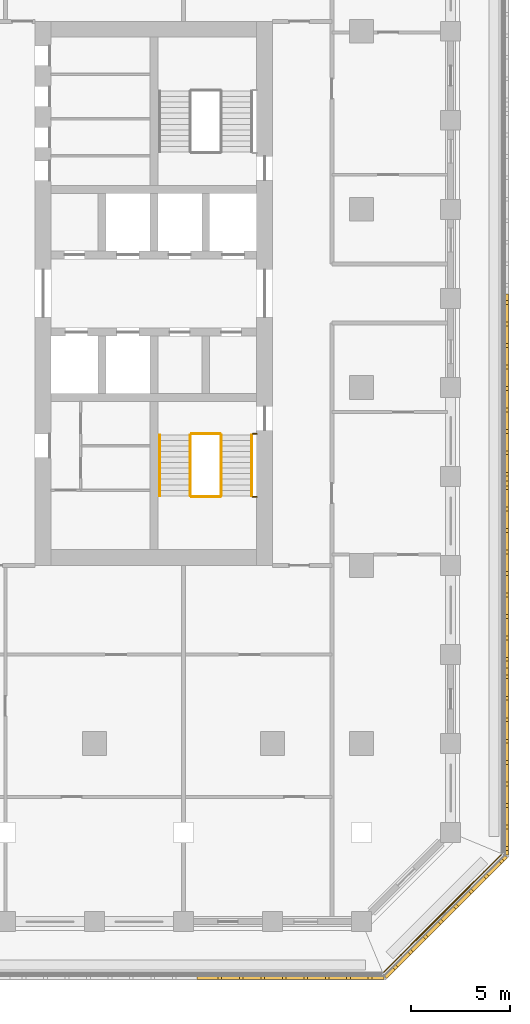
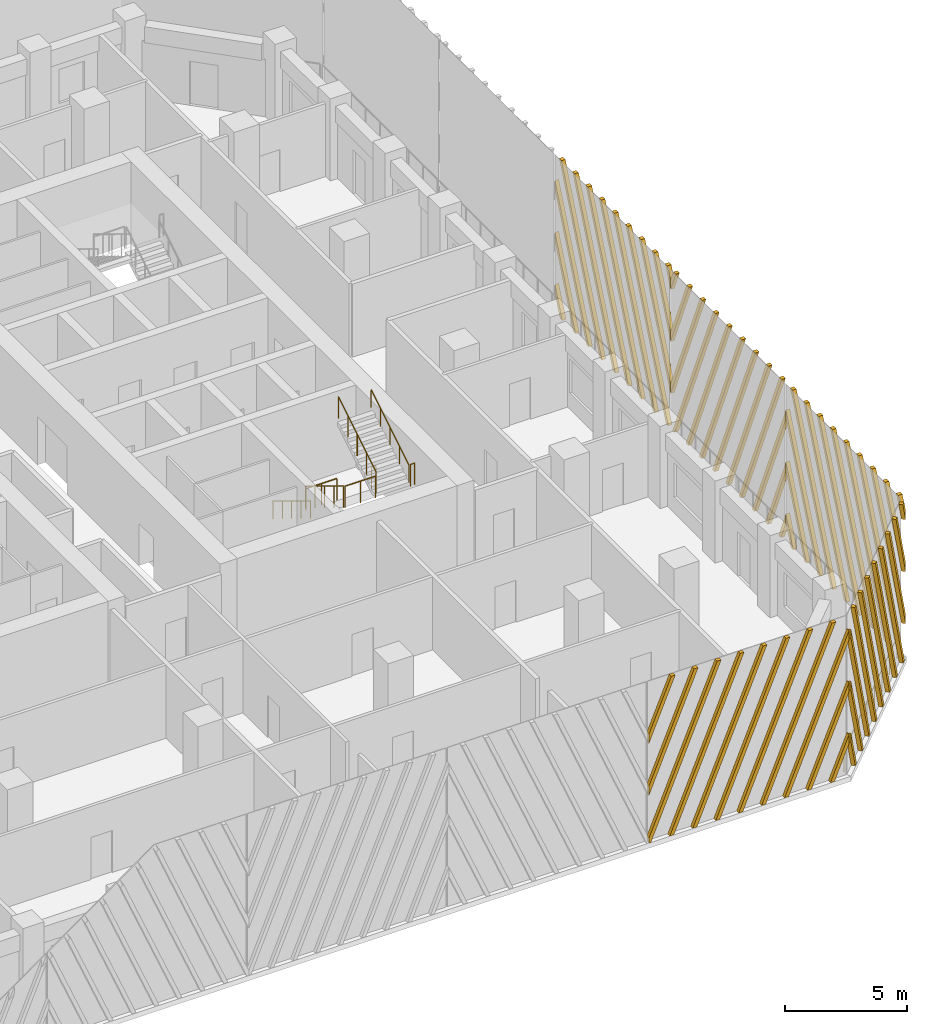
# One storey, part 12 of 17: 9 railings, 5 shading devices.
"""IFC4 building model written with IfcOpenShell, lengths in metres."""

from ifc_helpers import new_model, si_unit, direction, frame, origin, origin_2d, place, context, subcontext, project, spatial, polyline, circle, outline, extrude, source, transform, mapped, material, type_object, element, save


model = new_model("IFC4")

# Units and contexts
model_context = context("Model", 3, precision=1e-05, world=origin(), true_north=direction((0.0, 1.0)))
body_context = subcontext(model_context, "Body", "Model", "MODEL_VIEW")
ifc_project = project(units=[si_unit("LENGTHUNIT", "METRE"), si_unit("AREAUNIT", "SQUARE_METRE"), si_unit("VOLUMEUNIT", "CUBIC_METRE"), si_unit("PLANEANGLEUNIT", "RADIAN"), si_unit("MASSUNIT", "GRAM", prefix="KILO")], contexts=[model_context])

# Site, building, storey
site_placement = place(None, origin())
site = spatial("IfcSite", under=ifc_project, at=site_placement, CompositionType="ELEMENT")
building_placement = place(site_placement, origin())
building = spatial("IfcBuilding", under=site, at=building_placement, Name="Corbel Stack Research Tower", CompositionType="ELEMENT")
storey_placement = place(building_placement, frame((0.0, 0.0, 156.800048828125)))
storey = spatial("IfcBuildingStorey", under=building, at=storey_placement, Name="L35", CompositionType="ELEMENT", Elevation=156.800048828125)

# Railings
ifc_material_1 = material(Name="Steel S355", Category="steel")
railing_type_1 = type_object("IfcRailingType", Name="Stair guard 1100", PredefinedType="GUARDRAIL", material=ifc_material_1)
railing_1_placement = place(storey_placement, frame((13.85009765625, -2.39990234375, 0.1708984375)))
element("IfcRailing", 1, at=railing_1_placement, inside=storey, type_object=railing_type_1, Name="L35 ST-E1 stair guard 1", PredefinedType="GUARDRAIL", context=body_context, shape_type="SweptSolid", body=[
    extrude(circle(Radius=0.02392578125, at=origin_2d()), frame((0.0, 0.0, 1.076171875), z_axis=(0.0, -0.853666305674, 0.52082035152), x_axis=(1.0, 0.0, 0.0)), (0.0, 0.0, 1.0), 3.608154296875),
    extrude(circle(Radius=0.02099609375, at=origin_2d()), origin(), (0.0, 0.0, 1.0), 1.052001953125),
    extrude(circle(Radius=0.02099609375, at=origin_2d()), frame((0.0, -0.77001953125, 0.4697265625)), (0.0, 0.0, 1.0), 1.052001953125),
    extrude(circle(Radius=0.02099609375, at=origin_2d()), frame((0.0, -1.5400390625, 0.939453125)), (0.0, 0.0, 1.0), 1.052001953125),
    extrude(circle(Radius=0.02099609375, at=origin_2d()), frame((0.0, -2.31005859375, 1.409423828125)), (0.0, 0.0, 1.0), 1.052001953125),
    extrude(circle(Radius=0.02099609375, at=origin_2d()), frame((0.0, -3.080078125, 1.879150390625)), (0.0, 0.0, 1.0), 1.052001953125),
])
railing_2_placement = place(storey_placement, frame((13.89990234375, -5.530029296875, 2.050048828125)))
element("IfcRailing", 2, at=railing_2_placement, inside=storey, type_object=railing_type_1, Name="L35 ST-E1 stair guard 2", PredefinedType="GUARDRAIL", context=body_context, shape_type="SweptSolid", body=[
    extrude(circle(Radius=0.02392578125, at=origin_2d()), frame((0.0, 0.0, 1.076171875), z_axis=(1.0, 0.0, 0.0), x_axis=(0.0, 1.0, 0.0)), (0.0, 0.0, 1.0), 1.4501953125),
    extrude(circle(Radius=0.02099609375, at=origin_2d()), origin(), (0.0, 0.0, 1.0), 1.052001953125),
    extrude(circle(Radius=0.02099609375, at=origin_2d()), frame((0.72509765625, 0.0, 0.0)), (0.0, 0.0, 1.0), 1.052001953125),
    extrude(circle(Radius=0.02099609375, at=origin_2d()), frame((1.4501953125, 0.0, 0.0)), (0.0, 0.0, 1.0), 1.052001953125),
])
railing_3_placement = place(storey_placement, frame((17.0, -5.530029296875, 2.050048828125)))
element("IfcRailing", 3, at=railing_3_placement, inside=storey, type_object=railing_type_1, Name="L35 ST-E1 stair guard 3", PredefinedType="GUARDRAIL", context=body_context, shape_type="SweptSolid", body=[
    extrude(circle(Radius=0.02392578125, at=origin_2d()), frame((0.0, 0.0, 1.076171875), z_axis=(1.0, 0.0, 0.0), x_axis=(0.0, 1.0, 0.0)), (0.0, 0.0, 1.0), 0.199951171875),
    extrude(circle(Radius=0.02099609375, at=origin_2d()), origin(), (0.0, 0.0, 1.0), 1.052001953125),
    extrude(circle(Radius=0.02099609375, at=origin_2d()), frame((0.199951171875, 0.0, 0.0)), (0.0, 0.0, 1.0), 1.052001953125),
])
railing_4_placement = place(storey_placement, frame((15.39990234375, -5.47998046875, 2.220703125)))
element("IfcRailing", 4, at=railing_4_placement, inside=storey, type_object=railing_type_1, Name="L35 ST-E1 stair guard 4", PredefinedType="GUARDRAIL", context=body_context, shape_type="SweptSolid", body=[
    extrude(circle(Radius=0.02392578125, at=origin_2d()), frame((0.0, 0.0, 1.076171875), z_axis=(0.0, 0.853666305674, 0.52082035152), x_axis=(-1.0, 0.0, 0.0)), (0.0, 0.0, 1.0), 3.608154296875),
    extrude(circle(Radius=0.02099609375, at=origin_2d()), origin(), (0.0, 0.0, 1.0), 1.052001953125),
    extrude(circle(Radius=0.02099609375, at=origin_2d()), frame((0.0, 0.77001953125, 0.4697265625)), (0.0, 0.0, 1.0), 1.052001953125),
    extrude(circle(Radius=0.02099609375, at=origin_2d()), frame((0.0, 1.5400390625, 0.939453125)), (0.0, 0.0, 1.0), 1.052001953125),
    extrude(circle(Radius=0.02099609375, at=origin_2d()), frame((0.0, 2.31005859375, 1.409423828125)), (0.0, 0.0, 1.0), 1.052001953125),
    extrude(circle(Radius=0.02099609375, at=origin_2d()), frame((0.0, 3.080078125, 1.879150390625)), (0.0, 0.0, 1.0), 1.052001953125),
])
railing_5_placement = place(storey_placement, frame((13.89990234375, -2.35009765625, 0.0)))
element("IfcRailing", 5, at=railing_5_placement, inside=storey, type_object=railing_type_1, Name="L35 ST-E1 stair guard 5", PredefinedType="GUARDRAIL", context=body_context, shape_type="SweptSolid", body=[
    extrude(circle(Radius=0.02392578125, at=origin_2d()), frame((0.0, 0.0, 1.076171875), z_axis=(1.0, 0.0, 0.0), x_axis=(0.0, 1.0, 0.0)), (0.0, 0.0, 1.0), 1.4501953125),
    extrude(circle(Radius=0.02099609375, at=origin_2d()), origin(), (0.0, 0.0, 1.0), 1.052001953125),
    extrude(circle(Radius=0.02099609375, at=origin_2d()), frame((0.72509765625, 0.0, 0.0)), (0.0, 0.0, 1.0), 1.052001953125),
    extrude(circle(Radius=0.02099609375, at=origin_2d()), frame((1.4501953125, 0.0, 0.0)), (0.0, 0.0, 1.0), 1.052001953125),
])
railing_6_placement = place(storey_placement, frame((17.0, -2.35009765625, 0.0)))
element("IfcRailing", 6, at=railing_6_placement, inside=storey, type_object=railing_type_1, Name="L35 ST-E1 stair guard 6", PredefinedType="GUARDRAIL", context=body_context, shape_type="SweptSolid", body=[
    extrude(circle(Radius=0.02392578125, at=origin_2d()), frame((0.0, 0.0, 1.076171875), z_axis=(1.0, 0.0, 0.0), x_axis=(0.0, 1.0, 0.0)), (0.0, 0.0, 1.0), 0.199951171875),
    extrude(circle(Radius=0.02099609375, at=origin_2d()), origin(), (0.0, 0.0, 1.0), 1.052001953125),
    extrude(circle(Radius=0.02099609375, at=origin_2d()), frame((0.199951171875, 0.0, 0.0)), (0.0, 0.0, 1.0), 1.052001953125),
])
ifc_material_2 = material(Name="Steel S355", Category="steel")
railing_type_2 = type_object("IfcRailingType", Name="Stair handrail 900", PredefinedType="HANDRAIL", material=ifc_material_2)
railing_7_placement = place(storey_placement, frame((12.300048828125, -2.39990234375, 0.1708984375)))
element("IfcRailing", 7, at=railing_7_placement, inside=storey, type_object=railing_type_2, Name="L35 ST-E1 stair handrail 1", PredefinedType="HANDRAIL", context=body_context, shape_type="SweptSolid", body=[
    extrude(circle(Radius=0.02392578125, at=origin_2d()), frame((0.0, 0.0, 0.8759765625), z_axis=(0.0, -0.853666305674, 0.52082035152), x_axis=(1.0, 0.0, 0.0)), (0.0, 0.0, 1.0), 3.608154296875),
    extrude(circle(Radius=0.02099609375, at=origin_2d()), origin(), (0.0, 0.0, 1.0), 0.851806640625),
    extrude(circle(Radius=0.02099609375, at=origin_2d()), frame((0.0, -0.77001953125, 0.4697265625)), (0.0, 0.0, 1.0), 0.851806640625),
    extrude(circle(Radius=0.02099609375, at=origin_2d()), frame((0.0, -1.5400390625, 0.939453125)), (0.0, 0.0, 1.0), 0.851806640625),
    extrude(circle(Radius=0.02099609375, at=origin_2d()), frame((0.0, -2.31005859375, 1.409423828125)), (0.0, 0.0, 1.0), 0.851806640625),
    extrude(circle(Radius=0.02099609375, at=origin_2d()), frame((0.0, -3.080078125, 1.879150390625)), (0.0, 0.0, 1.0), 0.851806640625),
])
railing_8_placement = place(storey_placement, frame((16.949951171875, -5.47998046875, 2.220703125)))
element("IfcRailing", 8, at=railing_8_placement, inside=storey, type_object=railing_type_2, Name="L35 ST-E1 stair handrail 2", PredefinedType="HANDRAIL", context=body_context, shape_type="SweptSolid", body=[
    extrude(circle(Radius=0.02392578125, at=origin_2d()), frame((0.0, 0.0, 0.8759765625), z_axis=(0.0, 0.853666305674, 0.52082035152), x_axis=(-1.0, 0.0, 0.0)), (0.0, 0.0, 1.0), 3.608154296875),
    extrude(circle(Radius=0.02099609375, at=origin_2d()), origin(), (0.0, 0.0, 1.0), 0.851806640625),
    extrude(circle(Radius=0.02099609375, at=origin_2d()), frame((0.0, 0.77001953125, 0.4697265625)), (0.0, 0.0, 1.0), 0.851806640625),
    extrude(circle(Radius=0.02099609375, at=origin_2d()), frame((0.0, 1.5400390625, 0.939453125)), (0.0, 0.0, 1.0), 0.851806640625),
    extrude(circle(Radius=0.02099609375, at=origin_2d()), frame((0.0, 2.31005859375, 1.409423828125)), (0.0, 0.0, 1.0), 0.851806640625),
    extrude(circle(Radius=0.02099609375, at=origin_2d()), frame((0.0, 3.080078125, 1.879150390625)), (0.0, 0.0, 1.0), 0.851806640625),
])
ifc_material_3 = material(Name="Powder-coated steel guard", Category="steel")
railing_type_3 = type_object("IfcRailingType", Name="Steel and glass guard 1100", PredefinedType="GUARDRAIL", material=ifc_material_3)
railing_9_placement = place(storey_placement, frame((23.627685546875, -29.54931640625, 0.0)))
element("IfcRailing", 9, at=railing_9_placement, inside=storey, type_object=railing_type_3, Name="Loggia guard L35 SE", PredefinedType="GUARDRAIL", context=body_context, shape_type="SweptSolid", body=[
    extrude(circle(Radius=0.02392578125, at=origin_2d()), frame((0.0, 0.0, 1.076171875), z_axis=(0.707106781187, 0.707106781187, 0.0), x_axis=(-0.707106781187, 0.707106781187, 0.0)), (0.0, 0.0, 1.0), 8.37451171875),
    extrude(circle(Radius=0.02099609375, at=origin_2d()), origin(), (0.0, 0.0, 1.0), 1.052001953125),
    extrude(circle(Radius=0.02099609375, at=origin_2d()), frame((0.845947265625, 0.845947265625, 0.0)), (0.0, 0.0, 1.0), 1.052001953125),
    extrude(circle(Radius=0.02099609375, at=origin_2d()), frame((1.69189453125, 1.69189453125, 0.0)), (0.0, 0.0, 1.0), 1.052001953125),
    extrude(circle(Radius=0.02099609375, at=origin_2d()), frame((2.537841796875, 2.537841796875, 0.0)), (0.0, 0.0, 1.0), 1.052001953125),
    extrude(circle(Radius=0.02099609375, at=origin_2d()), frame((3.3837890625, 3.3837890625, 0.0)), (0.0, 0.0, 1.0), 1.052001953125),
    extrude(circle(Radius=0.02099609375, at=origin_2d()), frame((4.229736328125, 4.229736328125, 0.0)), (0.0, 0.0, 1.0), 1.052001953125),
    extrude(circle(Radius=0.02099609375, at=origin_2d()), frame((5.07568359375, 5.07568359375, 0.0)), (0.0, 0.0, 1.0), 1.052001953125),
    extrude(circle(Radius=0.02099609375, at=origin_2d()), frame((5.921630859375, 5.921630859375, 0.0)), (0.0, 0.0, 1.0), 1.052001953125),
])

# Shading devices
ifc_material_4 = material(Name="Precast terracotta", Category="masonry")
shading_device_type = type_object("IfcShadingDeviceType", Name="Terracotta screen panel", PredefinedType="USERDEFINED", material=ifc_material_4)
shared_shape_1 = source(origin(), body_context, "Body", "SweptSolid", [
    extrude(outline(polyline([(1.245849609375, 7.949951171875), (1.055908203125, 7.949951171875), (0.0, 5.421875), (0.0, 4.966796875), (1.245849609375, 7.949951171875)])), frame((0.0, 0.0, 0.0), z_axis=(0.0, -1.0, 0.0), x_axis=(1.0, 0.0, 0.0)), (0.0, 0.0, 1.0), 0.179931640625),
    extrude(outline(polyline([(2.33056640625, 7.949951171875), (2.140380859375, 7.949951171875), (0.0, 2.82470703125), (0.0, 2.36962890625), (2.33056640625, 7.949951171875)])), frame((0.0, 0.0, 0.0), z_axis=(0.0, -1.0, 0.0), x_axis=(1.0, 0.0, 0.0)), (0.0, 0.0, 1.0), 0.179931640625),
    extrude(outline(polyline([(0.094970703125, 0.0), (3.415283203125, 7.949951171875), (3.22509765625, 7.949951171875), (0.0, 0.2275390625), (0.0, 0.0), (0.094970703125, 0.0)])), frame((0.0, 0.0, 0.0), z_axis=(0.0, -1.0, 0.0), x_axis=(1.0, 0.0, 0.0)), (0.0, 0.0, 1.0), 0.179931640625),
    extrude(outline(polyline([(1.1796875, 0.0), (4.499755859375, 7.949951171875), (4.309814453125, 7.949951171875), (0.98974609375, 0.0), (1.1796875, 0.0)])), frame((0.0, 0.0, 0.0), z_axis=(0.0, -1.0, 0.0), x_axis=(1.0, 0.0, 0.0)), (0.0, 0.0, 1.0), 0.179931640625),
    extrude(outline(polyline([(2.264404296875, 0.0), (5.58447265625, 7.949951171875), (5.39453125, 7.949951171875), (2.07421875, 0.0), (2.264404296875, 0.0)])), frame((0.0, 0.0, 0.0), z_axis=(0.0, -1.0, 0.0), x_axis=(1.0, 0.0, 0.0)), (0.0, 0.0, 1.0), 0.179931640625),
    extrude(outline(polyline([(3.34912109375, 0.0), (6.669189453125, 7.949951171875), (6.479248046875, 7.949951171875), (3.158935546875, 0.0), (3.34912109375, 0.0)])), frame((0.0, 0.0, 0.0), z_axis=(0.0, -1.0, 0.0), x_axis=(1.0, 0.0, 0.0)), (0.0, 0.0, 1.0), 0.179931640625),
    extrude(outline(polyline([(4.43359375, 0.0), (7.75390625, 7.949951171875), (7.563720703125, 7.949951171875), (4.24365234375, 0.0), (4.43359375, 0.0)])), frame((0.0, 0.0, 0.0), z_axis=(0.0, -1.0, 0.0), x_axis=(1.0, 0.0, 0.0)), (0.0, 0.0, 1.0), 0.179931640625),
    extrude(outline(polyline([(5.518310546875, 0.0), (8.83837890625, 7.949951171875), (8.6484375, 7.949951171875), (5.328369140625, 0.0), (5.518310546875, 0.0)])), frame((0.0, 0.0, 0.0), z_axis=(0.0, -1.0, 0.0), x_axis=(1.0, 0.0, 0.0)), (0.0, 0.0, 1.0), 0.179931640625),
    extrude(outline(polyline([(6.60302734375, 0.0), (9.45556640625, 6.83056640625), (9.45556640625, 7.285400390625), (6.4130859375, 0.0), (6.60302734375, 0.0)])), frame((0.0, 0.0, 0.0), z_axis=(0.0, -1.0, 0.0), x_axis=(1.0, 0.0, 0.0)), (0.0, 0.0, 1.0), 0.179931640625),
    extrude(outline(polyline([(7.687744140625, 0.0), (9.45556640625, 4.2333984375), (9.45556640625, 4.688232421875), (7.497802734375, 0.0), (7.687744140625, 0.0)])), frame((0.0, 0.0, 0.0), z_axis=(0.0, -1.0, 0.0), x_axis=(1.0, 0.0, 0.0)), (0.0, 0.0, 1.0), 0.179931640625),
    extrude(outline(polyline([(8.772216796875, 0.0), (9.45556640625, 1.635986328125), (9.45556640625, 2.091064453125), (8.582275390625, 0.0), (8.772216796875, 0.0)])), frame((0.0, 0.0, 0.0), z_axis=(0.0, -1.0, 0.0), x_axis=(1.0, 0.0, 0.0)), (0.0, 0.0, 1.0), 0.179931640625),
])
shading_device_1_placement = place(storey_placement, frame((14.18359375, -29.75, 0.0), z_axis=(0.0, 0.0, 1.0), x_axis=(1.0, 0.0, 0.0)))
element("IfcShadingDevice", 10, at=shading_device_1_placement, inside=storey, type_object=shading_device_type, Name="Terracotta screen L35 S5", ObjectType="SCREEN", PredefinedType="USERDEFINED", context=body_context, shape_type="MappedRepresentation", body=[
    mapped(shared_shape_1, transform((0.0, 0.0, 0.0))),
])
shared_shape_2 = source(origin(), body_context, "Body", "SweptSolid", [
    extrude(outline(polyline([(0.873291015625, 0.0), (0.0, 2.091064453125), (0.0, 1.635986328125), (0.683349609375, 0.0), (0.873291015625, 0.0)])), frame((0.0, 0.0, 0.0), z_axis=(0.0, -1.0, 0.0), x_axis=(1.0, 0.0, 0.0)), (0.0, 0.0, 1.0), 0.179931640625),
    extrude(outline(polyline([(1.9580078125, 0.0), (0.0, 4.688232421875), (0.0, 4.2333984375), (1.76806640625, 0.0), (1.9580078125, 0.0)])), frame((0.0, 0.0, 0.0), z_axis=(0.0, -1.0, 0.0), x_axis=(1.0, 0.0, 0.0)), (0.0, 0.0, 1.0), 0.179931640625),
    extrude(outline(polyline([(3.04248046875, 0.0), (0.0, 7.285400390625), (0.0, 6.83056640625), (2.8525390625, 0.0), (3.04248046875, 0.0)])), frame((0.0, 0.0, 0.0), z_axis=(0.0, -1.0, 0.0), x_axis=(1.0, 0.0, 0.0)), (0.0, 0.0, 1.0), 0.179931640625),
    extrude(outline(polyline([(4.127197265625, 0.0), (0.80712890625, 7.949951171875), (0.6171875, 7.949951171875), (3.937255859375, 0.0), (4.127197265625, 0.0)])), frame((0.0, 0.0, 0.0), z_axis=(0.0, -1.0, 0.0), x_axis=(1.0, 0.0, 0.0)), (0.0, 0.0, 1.0), 0.179931640625),
    extrude(outline(polyline([(5.2119140625, 0.0), (1.891845703125, 7.949951171875), (1.701904296875, 7.949951171875), (5.02197265625, 0.0), (5.2119140625, 0.0)])), frame((0.0, 0.0, 0.0), z_axis=(0.0, -1.0, 0.0), x_axis=(1.0, 0.0, 0.0)), (0.0, 0.0, 1.0), 0.179931640625),
    extrude(outline(polyline([(6.296630859375, 0.0), (2.9765625, 7.949951171875), (2.78662109375, 7.949951171875), (6.106689453125, 0.0), (6.296630859375, 0.0)])), frame((0.0, 0.0, 0.0), z_axis=(0.0, -1.0, 0.0), x_axis=(1.0, 0.0, 0.0)), (0.0, 0.0, 1.0), 0.179931640625),
    extrude(outline(polyline([(7.38134765625, 0.0), (4.06103515625, 7.949951171875), (3.87109375, 7.949951171875), (7.19140625, 0.0), (7.38134765625, 0.0)])), frame((0.0, 0.0, 0.0), z_axis=(0.0, -1.0, 0.0), x_axis=(1.0, 0.0, 0.0)), (0.0, 0.0, 1.0), 0.179931640625),
    extrude(outline(polyline([(8.466064453125, 0.0), (5.145751953125, 7.949951171875), (4.955810546875, 7.949951171875), (8.27587890625, 0.0), (8.466064453125, 0.0)])), frame((0.0, 0.0, 0.0), z_axis=(0.0, -1.0, 0.0), x_axis=(1.0, 0.0, 0.0)), (0.0, 0.0, 1.0), 0.179931640625),
    extrude(outline(polyline([(6.23046875, 7.949951171875), (6.04052734375, 7.949951171875), (8.64208984375, 1.720458984375), (8.64208984375, 2.17529296875), (6.23046875, 7.949951171875)])), frame((0.0, 0.0, 0.0), z_axis=(0.0, -1.0, 0.0), x_axis=(1.0, 0.0, 0.0)), (0.0, 0.0, 1.0), 0.179931640625),
    extrude(outline(polyline([(7.315185546875, 7.949951171875), (7.125, 7.949951171875), (8.64208984375, 4.317626953125), (8.64208984375, 4.7724609375), (7.315185546875, 7.949951171875)])), frame((0.0, 0.0, 0.0), z_axis=(0.0, -1.0, 0.0), x_axis=(1.0, 0.0, 0.0)), (0.0, 0.0, 1.0), 0.179931640625),
    extrude(outline(polyline([(8.39990234375, 7.949951171875), (8.209716796875, 7.949951171875), (8.64208984375, 6.914794921875), (8.64208984375, 7.36962890625), (8.39990234375, 7.949951171875)])), frame((0.0, 0.0, 0.0), z_axis=(0.0, -1.0, 0.0), x_axis=(1.0, 0.0, 0.0)), (0.0, 0.0, 1.0), 0.179931640625),
])
shading_device_2_placement = place(storey_placement, frame((23.63916015625, -29.75, 0.0), z_axis=(0.0, 0.0, 1.0), x_axis=(0.707106781187, 0.707106781187, 0.0)))
element("IfcShadingDevice", 11, at=shading_device_2_placement, inside=storey, type_object=shading_device_type, Name="Terracotta screen L35 SE1", ObjectType="SCREEN", PredefinedType="USERDEFINED", context=body_context, shape_type="MappedRepresentation", body=[
    mapped(shared_shape_2, transform((0.0, 0.0, 0.0))),
])
shared_shape_3 = source(origin(), body_context, "Body", "SweptSolid", [
    extrude(outline(polyline([(0.432373046875, 7.949951171875), (0.2421875, 7.949951171875), (0.0, 7.36962890625), (0.0, 6.914794921875), (0.432373046875, 7.949951171875)])), frame((0.0, 0.0, 0.0), z_axis=(0.0, -1.0, 0.0), x_axis=(1.0, 0.0, 0.0)), (0.0, 0.0, 1.0), 0.179931640625),
    extrude(outline(polyline([(1.51708984375, 7.949951171875), (1.326904296875, 7.949951171875), (0.0, 4.7724609375), (0.0, 4.317626953125), (1.51708984375, 7.949951171875)])), frame((0.0, 0.0, 0.0), z_axis=(0.0, -1.0, 0.0), x_axis=(1.0, 0.0, 0.0)), (0.0, 0.0, 1.0), 0.179931640625),
    extrude(outline(polyline([(2.601806640625, 7.949951171875), (2.41162109375, 7.949951171875), (0.0, 2.17529296875), (0.0, 1.720458984375), (2.601806640625, 7.949951171875)])), frame((0.0, 0.0, 0.0), z_axis=(0.0, -1.0, 0.0), x_axis=(1.0, 0.0, 0.0)), (0.0, 0.0, 1.0), 0.179931640625),
    extrude(outline(polyline([(0.3662109375, 0.0), (3.686279296875, 7.949951171875), (3.496337890625, 7.949951171875), (0.17626953125, 0.0), (0.3662109375, 0.0)])), frame((0.0, 0.0, 0.0), z_axis=(0.0, -1.0, 0.0), x_axis=(1.0, 0.0, 0.0)), (0.0, 0.0, 1.0), 0.179931640625),
    extrude(outline(polyline([(1.45068359375, 0.0), (4.77099609375, 7.949951171875), (4.5810546875, 7.949951171875), (1.2607421875, 0.0), (1.45068359375, 0.0)])), frame((0.0, 0.0, 0.0), z_axis=(0.0, -1.0, 0.0), x_axis=(1.0, 0.0, 0.0)), (0.0, 0.0, 1.0), 0.179931640625),
    extrude(outline(polyline([(2.535400390625, 0.0), (5.855712890625, 7.949951171875), (5.665771484375, 7.949951171875), (2.345458984375, 0.0), (2.535400390625, 0.0)])), frame((0.0, 0.0, 0.0), z_axis=(0.0, -1.0, 0.0), x_axis=(1.0, 0.0, 0.0)), (0.0, 0.0, 1.0), 0.179931640625),
    extrude(outline(polyline([(3.6201171875, 0.0), (6.940185546875, 7.949951171875), (6.750244140625, 7.949951171875), (3.43017578125, 0.0), (3.6201171875, 0.0)])), frame((0.0, 0.0, 0.0), z_axis=(0.0, -1.0, 0.0), x_axis=(1.0, 0.0, 0.0)), (0.0, 0.0, 1.0), 0.179931640625),
    extrude(outline(polyline([(4.704833984375, 0.0), (8.02490234375, 7.949951171875), (7.8349609375, 7.949951171875), (4.514892578125, 0.0), (4.704833984375, 0.0)])), frame((0.0, 0.0, 0.0), z_axis=(0.0, -1.0, 0.0), x_axis=(1.0, 0.0, 0.0)), (0.0, 0.0, 1.0), 0.179931640625),
    extrude(outline(polyline([(5.78955078125, 0.0), (9.109619140625, 7.949951171875), (8.919677734375, 7.949951171875), (5.599609375, 0.0), (5.78955078125, 0.0)])), frame((0.0, 0.0, 0.0), z_axis=(0.0, -1.0, 0.0), x_axis=(1.0, 0.0, 0.0)), (0.0, 0.0, 1.0), 0.179931640625),
    extrude(outline(polyline([(6.874267578125, 0.0), (9.45556640625, 6.18115234375), (9.45556640625, 6.63623046875), (6.68408203125, 0.0), (6.874267578125, 0.0)])), frame((0.0, 0.0, 0.0), z_axis=(0.0, -1.0, 0.0), x_axis=(1.0, 0.0, 0.0)), (0.0, 0.0, 1.0), 0.179931640625),
    extrude(outline(polyline([(7.958740234375, 0.0), (9.45556640625, 3.583984375), (9.45556640625, 4.0390625), (7.768798828125, 0.0), (7.958740234375, 0.0)])), frame((0.0, 0.0, 0.0), z_axis=(0.0, -1.0, 0.0), x_axis=(1.0, 0.0, 0.0)), (0.0, 0.0, 1.0), 0.179931640625),
    extrude(outline(polyline([(9.04345703125, 0.0), (9.45556640625, 0.98681640625), (9.45556640625, 1.44189453125), (8.853515625, 0.0), (9.04345703125, 0.0)])), frame((0.0, 0.0, 0.0), z_axis=(0.0, -1.0, 0.0), x_axis=(1.0, 0.0, 0.0)), (0.0, 0.0, 1.0), 0.179931640625),
])
for number, where, z_axis, x_axis, name in (
    (12, (29.75, -23.63916015625, 0.0), (0.0, 0.0, 1.0), (0.0, 1.0, 0.0), "Terracotta screen L35 E1"),
    (13, (29.75, -4.727783203125, 0.0), (0.0, 0.0, 1.0), (0.0, 1.0, 0.0), "Terracotta screen L35 E3"),
):
    element("IfcShadingDevice", number, at=place(storey_placement, frame(where, z_axis=z_axis, x_axis=x_axis)), inside=storey, type_object=shading_device_type, Name=name, ObjectType="SCREEN", PredefinedType="USERDEFINED", context=body_context, shape_type="MappedRepresentation", body=[
        mapped(shared_shape_3, transform((0.0, 0.0, 0.0))),
    ])
shared_shape_4 = source(origin(), body_context, "Body", "SweptSolid", [
    extrude(outline(polyline([(0.60205078125, 0.0), (0.0, 1.44189453125), (0.0, 0.98681640625), (0.412109375, 0.0), (0.60205078125, 0.0)])), frame((0.0, 0.0, 0.0), z_axis=(0.0, -1.0, 0.0), x_axis=(1.0, 0.0, 0.0)), (0.0, 0.0, 1.0), 0.179931640625),
    extrude(outline(polyline([(1.686767578125, 0.0), (0.0, 4.0390625), (0.0, 3.583984375), (1.496826171875, 0.0), (1.686767578125, 0.0)])), frame((0.0, 0.0, 0.0), z_axis=(0.0, -1.0, 0.0), x_axis=(1.0, 0.0, 0.0)), (0.0, 0.0, 1.0), 0.179931640625),
    extrude(outline(polyline([(2.771484375, 0.0), (0.0, 6.63623046875), (0.0, 6.18115234375), (2.58154296875, 0.0), (2.771484375, 0.0)])), frame((0.0, 0.0, 0.0), z_axis=(0.0, -1.0, 0.0), x_axis=(1.0, 0.0, 0.0)), (0.0, 0.0, 1.0), 0.179931640625),
    extrude(outline(polyline([(3.856201171875, 0.0), (0.535888671875, 7.949951171875), (0.345947265625, 7.949951171875), (3.666015625, 0.0), (3.856201171875, 0.0)])), frame((0.0, 0.0, 0.0), z_axis=(0.0, -1.0, 0.0), x_axis=(1.0, 0.0, 0.0)), (0.0, 0.0, 1.0), 0.179931640625),
    extrude(outline(polyline([(4.94091796875, 0.0), (1.62060546875, 7.949951171875), (1.4306640625, 7.949951171875), (4.750732421875, 0.0), (4.94091796875, 0.0)])), frame((0.0, 0.0, 0.0), z_axis=(0.0, -1.0, 0.0), x_axis=(1.0, 0.0, 0.0)), (0.0, 0.0, 1.0), 0.179931640625),
    extrude(outline(polyline([(6.025390625, 0.0), (2.705322265625, 7.949951171875), (2.515380859375, 7.949951171875), (5.83544921875, 0.0), (6.025390625, 0.0)])), frame((0.0, 0.0, 0.0), z_axis=(0.0, -1.0, 0.0), x_axis=(1.0, 0.0, 0.0)), (0.0, 0.0, 1.0), 0.179931640625),
    extrude(outline(polyline([(7.110107421875, 0.0), (3.7900390625, 7.949951171875), (3.60009765625, 7.949951171875), (6.920166015625, 0.0), (7.110107421875, 0.0)])), frame((0.0, 0.0, 0.0), z_axis=(0.0, -1.0, 0.0), x_axis=(1.0, 0.0, 0.0)), (0.0, 0.0, 1.0), 0.179931640625),
    extrude(outline(polyline([(8.19482421875, 0.0), (4.87451171875, 7.949951171875), (4.6845703125, 7.949951171875), (8.0048828125, 0.0), (8.19482421875, 0.0)])), frame((0.0, 0.0, 0.0), z_axis=(0.0, -1.0, 0.0), x_axis=(1.0, 0.0, 0.0)), (0.0, 0.0, 1.0), 0.179931640625),
    extrude(outline(polyline([(9.279541015625, 0.0), (5.959228515625, 7.949951171875), (5.769287109375, 7.949951171875), (9.089599609375, 0.0), (9.279541015625, 0.0)])), frame((0.0, 0.0, 0.0), z_axis=(0.0, -1.0, 0.0), x_axis=(1.0, 0.0, 0.0)), (0.0, 0.0, 1.0), 0.179931640625),
    extrude(outline(polyline([(7.0439453125, 7.949951171875), (6.85400390625, 7.949951171875), (9.45556640625, 1.720458984375), (9.45556640625, 2.17529296875), (7.0439453125, 7.949951171875)])), frame((0.0, 0.0, 0.0), z_axis=(0.0, -1.0, 0.0), x_axis=(1.0, 0.0, 0.0)), (0.0, 0.0, 1.0), 0.179931640625),
    extrude(outline(polyline([(8.128662109375, 7.949951171875), (7.938720703125, 7.949951171875), (9.45556640625, 4.317626953125), (9.45556640625, 4.7724609375), (8.128662109375, 7.949951171875)])), frame((0.0, 0.0, 0.0), z_axis=(0.0, -1.0, 0.0), x_axis=(1.0, 0.0, 0.0)), (0.0, 0.0, 1.0), 0.179931640625),
    extrude(outline(polyline([(9.21337890625, 7.949951171875), (9.023193359375, 7.949951171875), (9.45556640625, 6.914794921875), (9.45556640625, 7.36962890625), (9.21337890625, 7.949951171875)])), frame((0.0, 0.0, 0.0), z_axis=(0.0, -1.0, 0.0), x_axis=(1.0, 0.0, 0.0)), (0.0, 0.0, 1.0), 0.179931640625),
])
shading_device_3_placement = place(storey_placement, frame((29.75, -14.18359375, 0.0), z_axis=(0.0, 0.0, 1.0), x_axis=(0.0, 1.0, 0.0)))
element("IfcShadingDevice", 14, at=shading_device_3_placement, inside=storey, type_object=shading_device_type, Name="Terracotta screen L35 E2", ObjectType="SCREEN", PredefinedType="USERDEFINED", context=body_context, shape_type="MappedRepresentation", body=[
    mapped(shared_shape_4, transform((0.0, 0.0, 0.0))),
])

save(model, "model.ifc")
